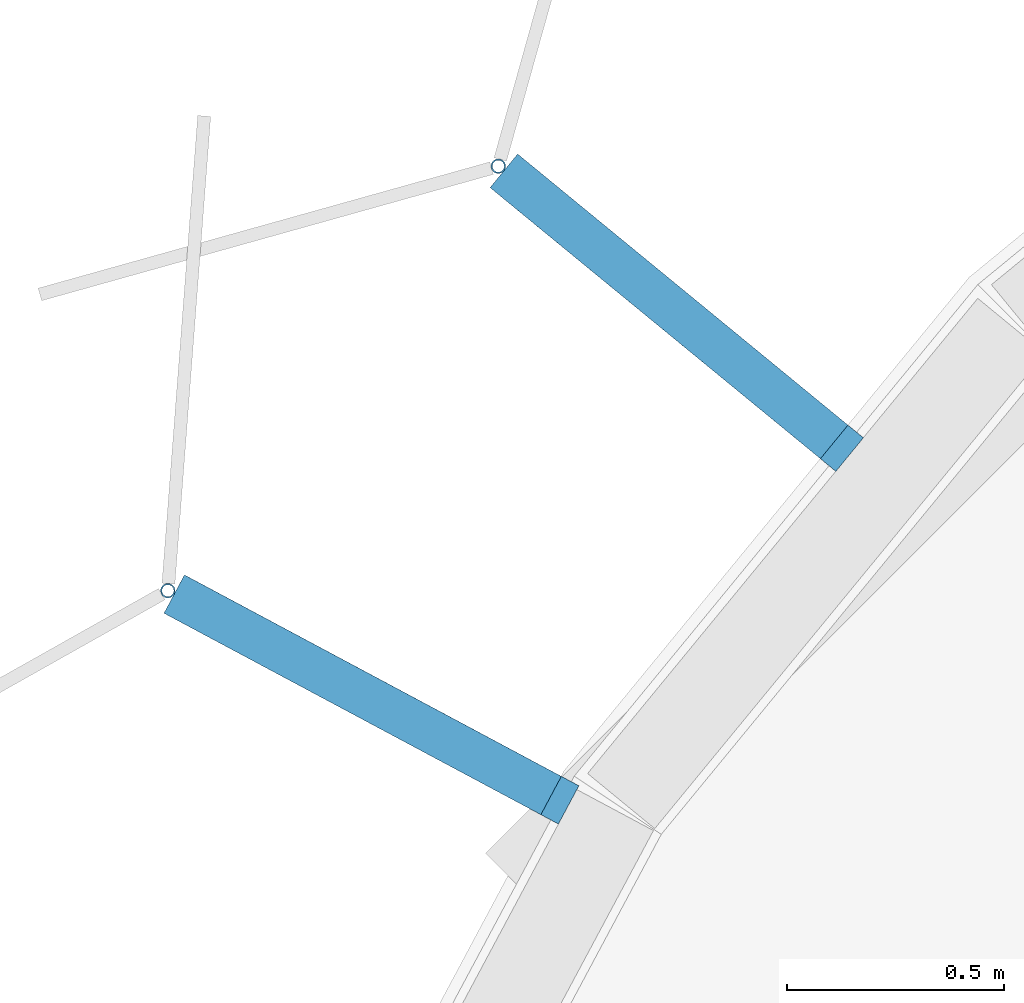
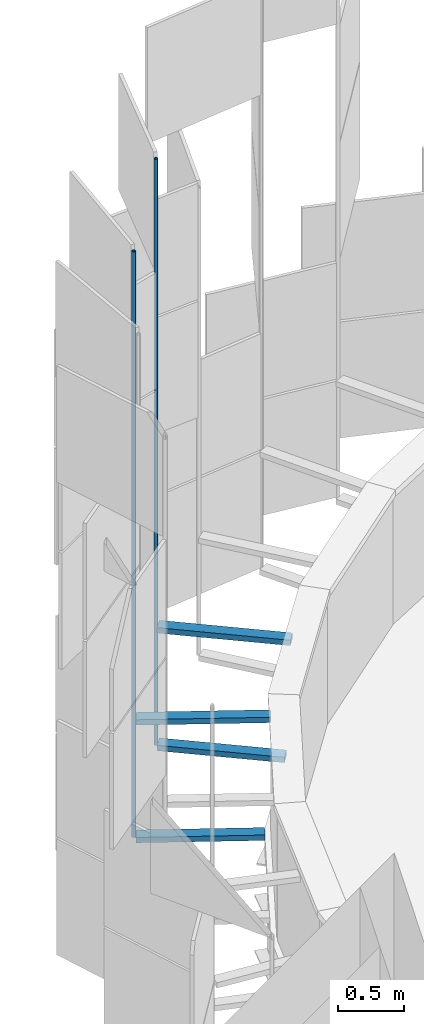
# One storey, part 330 of 483: 6 discrete accessories.
"""IFC4 building model written with IfcOpenShell, lengths in metres."""

from ifc_helpers import new_model, si_unit, direction, frame, origin, origin_2d, place, context, subcontext, project, spatial, rectangle, hollow_circle, extrude, material, material_profile, profile_set, type_object, element, save


model = new_model("IFC4")

# Units and contexts
model_context = context("Model", 3, precision=1e-05, world=origin(), true_north=direction((0.0, 1.0)))
body_context = subcontext(model_context, "Body", "Model", "MODEL_VIEW")
ifc_project = project(units=[si_unit("LENGTHUNIT", "METRE"), si_unit("AREAUNIT", "SQUARE_METRE"), si_unit("VOLUMEUNIT", "CUBIC_METRE"), si_unit("PLANEANGLEUNIT", "RADIAN"), si_unit("MASSUNIT", "GRAM", prefix="KILO")], contexts=[model_context])

# Site, building, storey
site_placement = place(None, origin())
site = spatial("IfcSite", under=ifc_project, at=site_placement, CompositionType="ELEMENT")
building_placement = place(site_placement, origin())
building = spatial("IfcBuilding", under=site, at=building_placement, Name="Parallax Yard Mobility Hub", CompositionType="ELEMENT")
storey_placement = place(building_placement, frame((0.0, 0.0, 13.199951171875)))
storey = spatial("IfcBuildingStorey", under=building, at=storey_placement, Name="L04", CompositionType="ELEMENT", Elevation=13.199951171875)

# Discrete accessories
ifc_material_1 = material(Name="Steel ASTM A36, hot-dip galvanised", Category="steel")
discrete_accessory_type_1 = type_object("IfcDiscreteAccessoryType", Name="Hinge bracket plate 100x50", PredefinedType="BRACKET", material=ifc_material_1)
discrete_accessory_1_placement = place(storey_placement, frame((24.005859375, 140.236328125, -0.02490234375), z_axis=(0.0, 0.0, 1.0), x_axis=(-0.773010453363, 0.634393284164, 0.0)))
element("IfcDiscreteAccessory", 1, at=discrete_accessory_1_placement, inside=storey, type_object=discrete_accessory_type_1, Name="Hinge bracket plate bay 70.7 level L04", PredefinedType="BRACKET", context=body_context, shape_type="SweptSolid", body=[
    extrude(rectangle(XDim=0.984130859375, YDim=0.10009765625, at=origin_2d()), origin(), (0.0, 0.0, 1.0), 0.050048828125),
])
discrete_accessory_2_placement = place(storey_placement, frame((24.023681640625, 140.2216796875, 1.06982421875), z_axis=(0.0, 0.0, 1.0), x_axis=(-0.773010453363, 0.634393284164, 0.0)))
element("IfcDiscreteAccessory", 2, at=discrete_accessory_2_placement, inside=storey, type_object=discrete_accessory_type_1, Name="Hinge bracket plate bay 70.7 level L04", PredefinedType="BRACKET", context=body_context, shape_type="SweptSolid", body=[
    extrude(rectangle(XDim=1.030029296875, YDim=0.10009765625, at=origin_2d()), origin(), (0.0, 0.0, 1.0), 0.050048828125),
])
discrete_accessory_3_placement = place(storey_placement, frame((23.30029296875, 139.341796875, -0.02490234375), z_axis=(0.0, 0.0, 1.0), x_axis=(-0.881921264348, 0.471396736826, 0.0)))
element("IfcDiscreteAccessory", 3, at=discrete_accessory_3_placement, inside=storey, type_object=discrete_accessory_type_1, Name="Hinge bracket plate bay 70.8 level L04", PredefinedType="BRACKET", context=body_context, shape_type="SweptSolid", body=[
    extrude(rectangle(XDim=0.984130859375, YDim=0.10009765625, at=origin_2d()), origin(), (0.0, 0.0, 1.0), 0.050048828125),
])
discrete_accessory_4_placement = place(storey_placement, frame((23.320556640625, 139.3310546875, 1.06982421875), z_axis=(0.0, 0.0, 1.0), x_axis=(-0.881921264348, 0.471396736826, 0.0)))
element("IfcDiscreteAccessory", 4, at=discrete_accessory_4_placement, inside=storey, type_object=discrete_accessory_type_1, Name="Hinge bracket plate bay 70.8 level L04", PredefinedType="BRACKET", context=body_context, shape_type="SweptSolid", body=[
    extrude(rectangle(XDim=1.030029296875, YDim=0.10009765625, at=origin_2d()), origin(), (0.0, 0.0, 1.0), 0.050048828125),
])
ifc_material_2 = material(Name="Steel ASTM A500 Gr C, hot-dip galvanised", Category="steel")
ifc_material_profile = material_profile(ifc_material_2, hollow_circle(Radius=0.016845703125, WallThickness=0.003173828125, at=origin_2d()), Name="CHS 33.7x3.2")
ifc_profile_set = profile_set([ifc_material_profile], Name="Steel ASTM A500 Gr C, hot-dip galvanised")
discrete_accessory_type_2 = type_object("IfcDiscreteAccessoryType", Name="Hinge post CHS 33.7x3.2", PredefinedType="BRACKET", material=ifc_profile_set)
for number, where, z_axis, x_axis, name in (
    (5, (23.61279296875, 140.55908203125, 0.0), (0.0, 0.0, 1.0), (1.0, 0.0, 0.0), "Hinge post bay 70.7 level L04"),
    (6, (22.851806640625, 139.58154296875, 0.0), (0.0, 0.0, 1.0), (1.0, 0.0, 0.0), "Hinge post bay 70.8 level L04"),
):
    element("IfcDiscreteAccessory", number, at=place(storey_placement, frame(where, z_axis=z_axis, x_axis=x_axis)), inside=storey, type_object=discrete_accessory_type_2, Name=name, PredefinedType="BRACKET", context=body_context, shape_type="SweptSolid", body=[
        extrude(hollow_circle(Radius=0.016845703125, WallThickness=0.003173828125, at=origin_2d()), origin(), (0.0, 0.0, 1.0), 5.449951171875),
    ])

save(model, "model.ifc")
